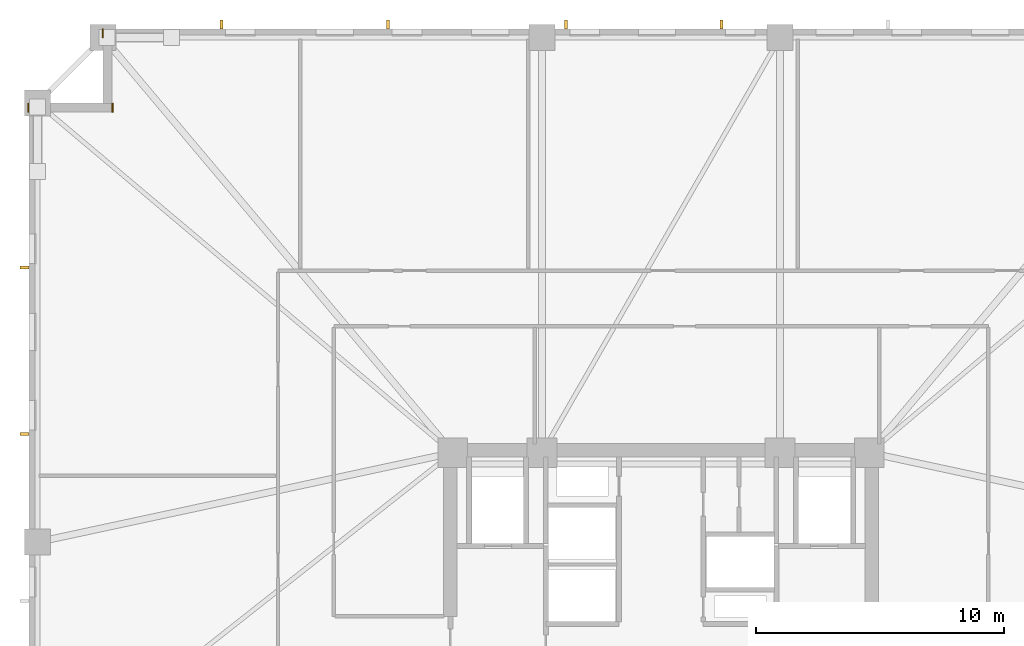
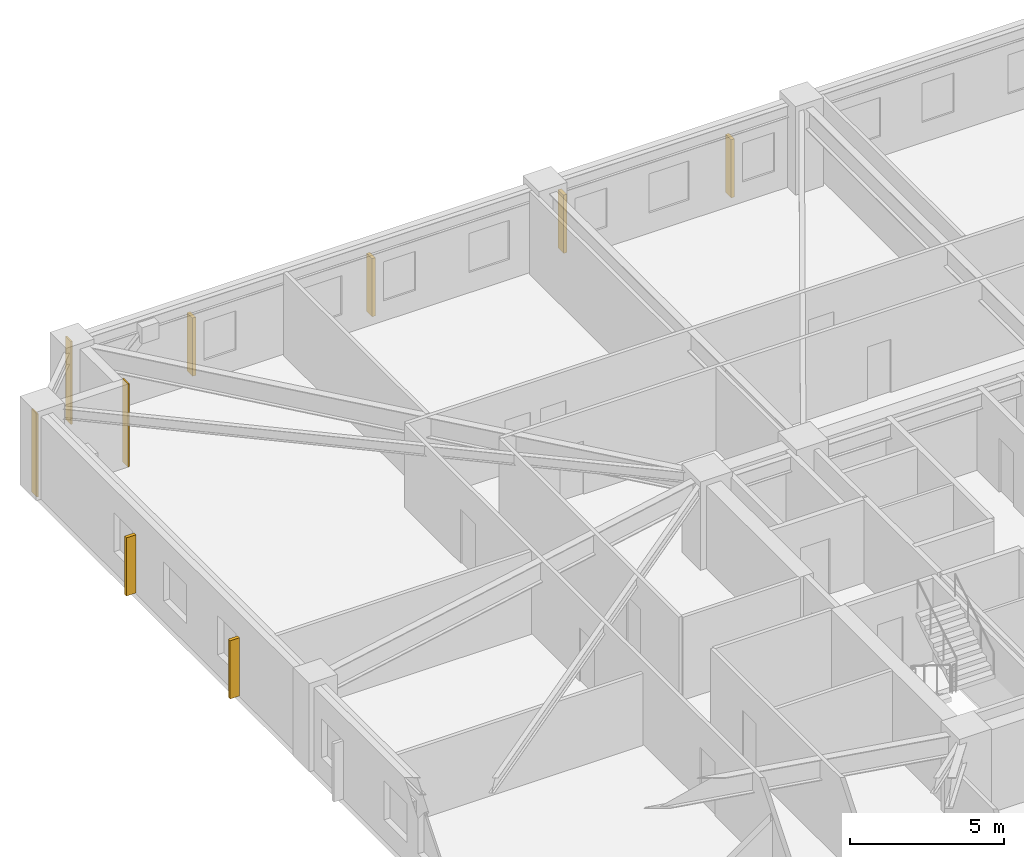
# One storey, part 10 of 11: 6 shading devices, 3 coverings.
"""IFC4 building model written with IfcOpenShell, lengths in metres."""

from ifc_helpers import new_model, si_unit, direction, frame, frame_2d, origin, origin_2d, place, context, subcontext, project, spatial, rectangle, extrude, material, layer, layer_set, type_object, element, save


model = new_model("IFC4")

# Units and contexts
model_context = context("Model", 3, precision=1e-05, world=origin(), true_north=direction((0.0, 1.0)))
body_context = subcontext(model_context, "Body", "Model", "MODEL_VIEW")
ifc_project = project(units=[si_unit("LENGTHUNIT", "METRE"), si_unit("AREAUNIT", "SQUARE_METRE"), si_unit("VOLUMEUNIT", "CUBIC_METRE"), si_unit("PLANEANGLEUNIT", "RADIAN"), si_unit("MASSUNIT", "GRAM", prefix="KILO")], contexts=[model_context])

# Site, building, storey
site_placement = place(None, origin())
site = spatial("IfcSite", under=ifc_project, at=site_placement, CompositionType="ELEMENT")
building_placement = place(site_placement, origin())
building = spatial("IfcBuilding", under=site, at=building_placement, Name="Cairnveth Concourse Tower", CompositionType="ELEMENT")
storey_placement = place(building_placement, frame((0.0, 0.0, 48.0)))
storey = spatial("IfcBuildingStorey", under=building, at=storey_placement, Name="L12", CompositionType="ELEMENT", Elevation=48.0)

# Coverings
ifc_material_1 = material(Name="Dressed Melbourne Bluestone Cladding", Category="masonry")
ifc_layer = layer(ifc_material_1, 0.050048828125)
ifc_layer_set = layer_set([ifc_layer], Name="Dressed Melbourne Bluestone Cladding")
covering_type = type_object("IfcCoveringType", Name="DRESSED BLUESTONE PLINTH CLADDING 50", PredefinedType="CLADDING", material=ifc_layer_set)
for number, where, z_axis, x_axis, name in (
    (1, (26.47998046875, 61.139892578125, 0.0), (0.0, 0.0, 1.0), (0.0, 1.0, 0.0), "Melbourne Bluestone Corner Quoin L12-139"),
    (2, (29.8798828125, 61.139892578125, 0.0), (0.0, 0.0, 1.0), (0.0, 1.0, 0.0), "Melbourne Bluestone Corner Quoin L12-140"),
    (3, (29.47998046875, 64.139892578125, 0.0), (0.0, 0.0, 1.0), (0.0, 1.0, 0.0), "Melbourne Bluestone Corner Quoin L12-141"),
):
    element("IfcCovering", number, at=place(storey_placement, frame(where, z_axis=z_axis, x_axis=x_axis)), inside=storey, type_object=covering_type, Name=name, PredefinedType="CLADDING", context=body_context, shape_type="SweptSolid", body=[
        extrude(rectangle(XDim=0.360107421875, YDim=0.050048828125, at=frame_2d((0.18017578125, 0.0))), origin(), (0.0, 0.0, 1.0), 3.280029296875),
    ])

# Shading devices
ifc_material_2 = material(Name="Architectural Bronze Anodised Aluminium 6063-T6", Category="aluminium")
shading_device_type = type_object("IfcShadingDeviceType", Name="GOTHIC BRONZE VERTICAL LANCET FIN", PredefinedType="USERDEFINED", material=ifc_material_2)
for number, where, z_axis, x_axis, name in (
    (4, (26.324951171875, 48.151611328125, 0.02978515625), (0.0, 0.0, 1.0), (0.0, 1.0, 0.0), "Gothic Bronze Vertical Fin L12-3-9"),
    (5, (26.324951171875, 54.871826171875, 0.02978515625), (0.0, 0.0, 1.0), (0.0, 1.0, 0.0), "Gothic Bronze Vertical Fin L12-3-11"),
    (6, (34.27001953125, 64.675048828125, 0.02978515625), (0.0, 0.0, 1.0), (1.0, 0.0, 0.0), "Gothic Bronze Vertical Fin L12-6-1"),
    (7, (40.990478515625, 64.675048828125, 0.02978515625), (0.0, 0.0, 1.0), (1.0, 0.0, 0.0), "Gothic Bronze Vertical Fin L12-6-3"),
    (8, (48.160888671875, 64.675048828125, 0.02978515625), (0.0, 0.0, 1.0), (1.0, 0.0, 0.0), "Gothic Bronze Vertical Fin L12-6-5"),
    (9, (54.43115234375, 64.675048828125, 0.02978515625), (0.0, 0.0, 1.0), (1.0, 0.0, 0.0), "Gothic Bronze Vertical Fin L12-6-7"),
):
    element("IfcShadingDevice", number, at=place(storey_placement, frame(where, z_axis=z_axis, x_axis=x_axis)), inside=storey, type_object=shading_device_type, Name=name, ObjectType="VERTICAL FIN", PredefinedType="USERDEFINED", context=body_context, shape_type="SweptSolid", body=[
        extrude(rectangle(XDim=0.1201171875, YDim=0.360107421875, at=origin_2d()), origin(), (0.0, 0.0, 1.0), 2.303955078125),
    ])

save(model, "model.ifc")
